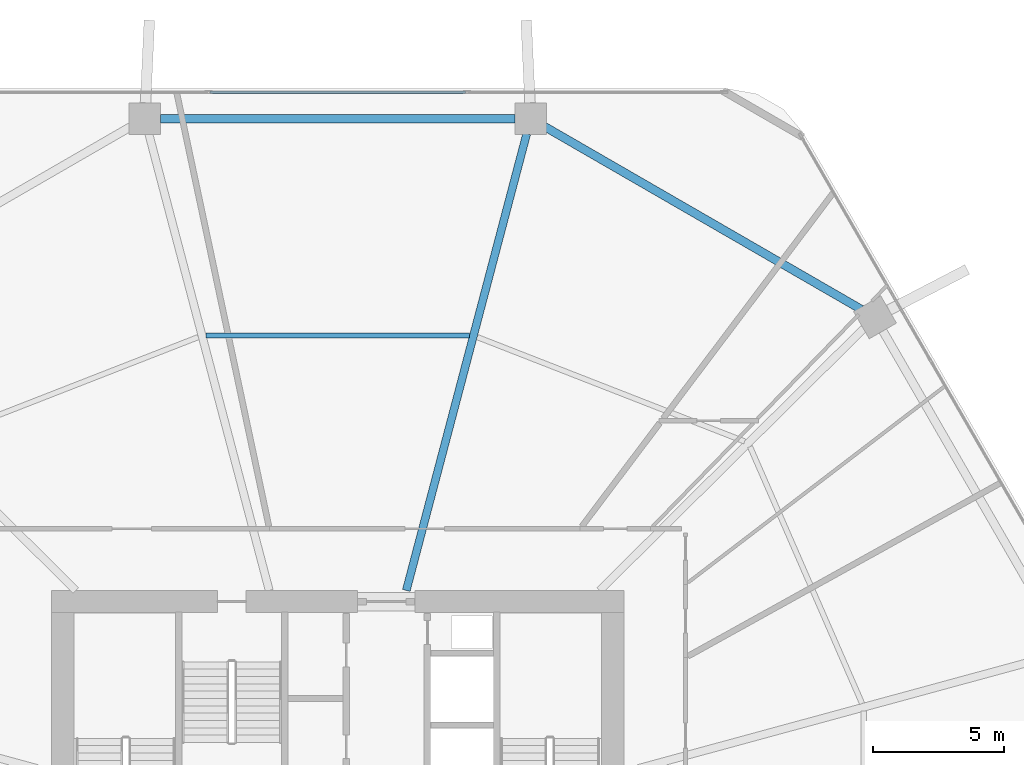
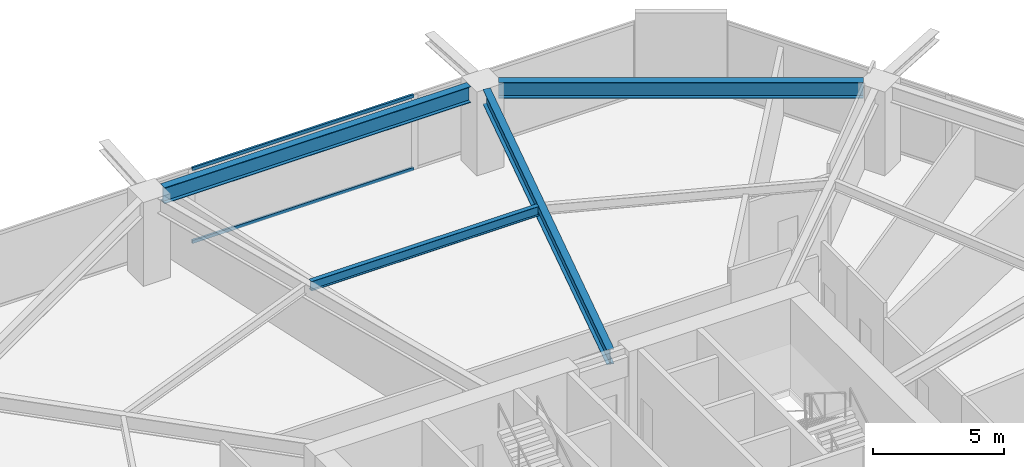
# One storey, part 18 of 25: 4 beams, 2 members, 1 element without a shape of its own.
"""IFC4 building model written with IfcOpenShell, lengths in metres."""

from ifc_helpers import new_model, si_unit, direction, frame, origin, origin_2d, place, context, subcontext, project, spatial, hollow_rectangle, i_section, extrude, material, material_profile, profile_set, type_object, element, aggregate, save


model = new_model("IFC4")

# Units and contexts
model_context = context("Model", 3, precision=1e-05, world=origin(), true_north=direction((0.0, 1.0)))
body_context = subcontext(model_context, "Body", "Model", "MODEL_VIEW")
ifc_project = project(units=[si_unit("LENGTHUNIT", "METRE"), si_unit("AREAUNIT", "SQUARE_METRE"), si_unit("VOLUMEUNIT", "CUBIC_METRE"), si_unit("PLANEANGLEUNIT", "RADIAN"), si_unit("MASSUNIT", "GRAM", prefix="KILO")], contexts=[model_context])

# Site, building, storey
site_placement = place(None, origin())
site = spatial("IfcSite", under=ifc_project, at=site_placement, CompositionType="ELEMENT")
building_placement = place(site_placement, origin())
building = spatial("IfcBuilding", under=site, at=building_placement, Name="Zuhravey Tower", CompositionType="ELEMENT")
storey_placement = place(building_placement, frame((0.0, 0.0, 62.39990234375)))
storey = spatial("IfcBuildingStorey", under=building, at=storey_placement, Name="L15", CompositionType="ELEMENT", Elevation=62.39990234375)

# Curtain wall, members
ifc_material_1 = material(Name="Thermally broken anodised aluminium", Category="aluminium")
curtain_wall_type = type_object("IfcCurtainWallType", Name="School Low-E Unitised Curtain Wall CW1", PredefinedType="NOTDEFINED", material=ifc_material_1)
curtain_wall_placement = place(storey_placement, origin())
curtain_wall = element("IfcCurtainWall", 1, at=curtain_wall_placement, inside=storey, type_object=curtain_wall_type, Name="L15 CW1 CW-L15-F2-1", PredefinedType="NOTDEFINED")
ifc_material_2 = material(Name="Anodised aluminium", Category="aluminium")
ifc_material_profile_1 = material_profile(ifc_material_2, hollow_rectangle(XDim=0.090087890625, YDim=0.14990234375, WallThickness=0.0048828125, at=origin_2d()), Name="ALU-RHS-90x150x5")
ifc_profile_set_1 = profile_set([ifc_material_profile_1], Name="Anodised aluminium")
member_type = type_object("IfcMemberType", Name="Curtain-Wall Transom 90x150", PredefinedType="USERDEFINED", material=ifc_profile_set_1)
member_1_placement = place(storey_placement, frame((31.11181640625, 60.95849609375, 0.045166015625), z_axis=(1.0, 0.0, 0.0), x_axis=(0.0, 1.0, 0.0)))
member_1 = element("IfcMember", 2, at=member_1_placement, type_object=member_type, Name="CW1 transom 2.1", ObjectType="TRANSOM", PredefinedType="USERDEFINED", context=body_context, shape_type="SweptSolid", body=[
    extrude(hollow_rectangle(XDim=0.090087890625, YDim=0.14990234375, WallThickness=0.0048828125, at=origin_2d()), origin(), (0.0, 0.0, 1.0), 9.7763671875),
])
member_2_placement = place(storey_placement, frame((31.11181640625, 60.95849609375, 3.447021484375), z_axis=(1.0, 0.0, 0.0), x_axis=(0.0, 1.0, 0.0)))
member_2 = element("IfcMember", 3, at=member_2_placement, type_object=member_type, Name="CW1 transom 2.2", ObjectType="TRANSOM", PredefinedType="USERDEFINED", context=body_context, shape_type="SweptSolid", body=[
    extrude(hollow_rectangle(XDim=0.090087890625, YDim=0.14990234375, WallThickness=0.0048828125, at=origin_2d()), origin(), (0.0, 0.0, 1.0), 9.7763671875),
])
aggregate(curtain_wall, [member_1, member_2])

# Beams
ifc_material_3 = material(Name="Steel SM355", Category="steel")
ifc_material_profile_2 = material_profile(ifc_material_3, i_section(OverallWidth=0.320068359375, OverallDepth=0.75, WebThickness=0.013916015625, FlangeThickness=0.02490234375, at=origin_2d()), Name="H-750x320x14x25")
ifc_profile_set_2 = profile_set([ifc_material_profile_2], Name="Steel SM355")
beam_type_1 = type_object("IfcBeamType", Name="Perimeter Ring Beam H750x320", PredefinedType="BEAM", material=ifc_profile_set_2)
beam_1_placement = place(storey_placement, frame((55.996826171875, 52.658447265625, 3.545166015625), z_axis=(-0.866029969761, 0.499992091414, 0.0), x_axis=(-0.499992091414, -0.866029969761, 0.0)))
element("IfcBeam", 4, at=beam_1_placement, inside=storey, type_object=beam_type_1, Name="L15 PB1 BM-L15-PB-02", PredefinedType="BEAM", context=body_context, shape_type="SweptSolid", body=[
    extrude(i_section(OverallWidth=0.320068359375, OverallDepth=0.75, WebThickness=0.013916015625, FlangeThickness=0.02490234375, at=origin_2d()), origin(), (0.0, 0.0, 1.0), 13.977294921875),
])
beam_2_placement = place(storey_placement, frame((42.76708984375, 59.948486328125, 3.545166015625), z_axis=(-1.0, 0.0, 0.0), x_axis=(0.0, -1.0, 0.0)))
element("IfcBeam", 5, at=beam_2_placement, inside=storey, type_object=beam_type_1, Name="L15 PB1 BM-L15-PB-03", PredefinedType="BEAM", context=body_context, shape_type="SweptSolid", body=[
    extrude(i_section(OverallWidth=0.320068359375, OverallDepth=0.75, WebThickness=0.013916015625, FlangeThickness=0.02490234375, at=origin_2d()), origin(), (0.0, 0.0, 1.0), 13.5341796875),
])
ifc_material_profile_3 = material_profile(ifc_material_3, i_section(OverallWidth=0.300048828125, OverallDepth=0.699951171875, WebThickness=0.012939453125, FlangeThickness=0.02392578125, at=origin_2d()), Name="H-700x300x13x24")
ifc_profile_set_3 = profile_set([ifc_material_profile_3], Name="Steel SM355")
beam_type_2 = type_object("IfcBeamType", Name="Radial Primary Girder H700x300", PredefinedType="BEAM", material=ifc_profile_set_3)
beam_3_placement = place(storey_placement, frame((38.617919921875, 41.927978515625, 3.570068359375), z_axis=(0.254989720435, 0.966943763862, 0.0), x_axis=(-0.966943763862, 0.254989720435, 0.0)))
element("IfcBeam", 6, at=beam_3_placement, inside=storey, type_object=beam_type_2, Name="L15 RG1 BM-L15-RAD-03", PredefinedType="BEAM", context=body_context, shape_type="SweptSolid", body=[
    extrude(i_section(OverallWidth=0.300048828125, OverallDepth=0.699951171875, WebThickness=0.012939453125, FlangeThickness=0.02392578125, at=origin_2d()), origin(), (0.0, 0.0, 1.0), 18.03369140625),
])
ifc_material_profile_4 = material_profile(ifc_material_3, i_section(OverallWidth=0.199951171875, OverallDepth=0.449951171875, WebThickness=0.009033203125, FlangeThickness=0.013916015625, at=origin_2d()), Name="H-450x200x9x14")
ifc_profile_set_4 = profile_set([ifc_material_profile_4], Name="Steel SM355")
beam_type_3 = type_object("IfcBeamType", Name="Secondary Floor Joist H450x200", PredefinedType="JOIST", material=ifc_profile_set_4)
beam_4_placement = place(storey_placement, frame((41.030029296875, 51.6591796875, 3.695068359375), z_axis=(-1.0, 0.0, 0.0), x_axis=(0.0, -1.0, 0.0)))
element("IfcBeam", 7, at=beam_4_placement, inside=storey, type_object=beam_type_3, Name="L15 SJ1 BM-L15-SJ-03-1", PredefinedType="JOIST", context=body_context, shape_type="SweptSolid", body=[
    extrude(i_section(OverallWidth=0.199951171875, OverallDepth=0.449951171875, WebThickness=0.009033203125, FlangeThickness=0.013916015625, at=origin_2d()), origin(), (0.0, 0.0, 1.0), 10.06005859375),
])

save(model, "model.ifc")
